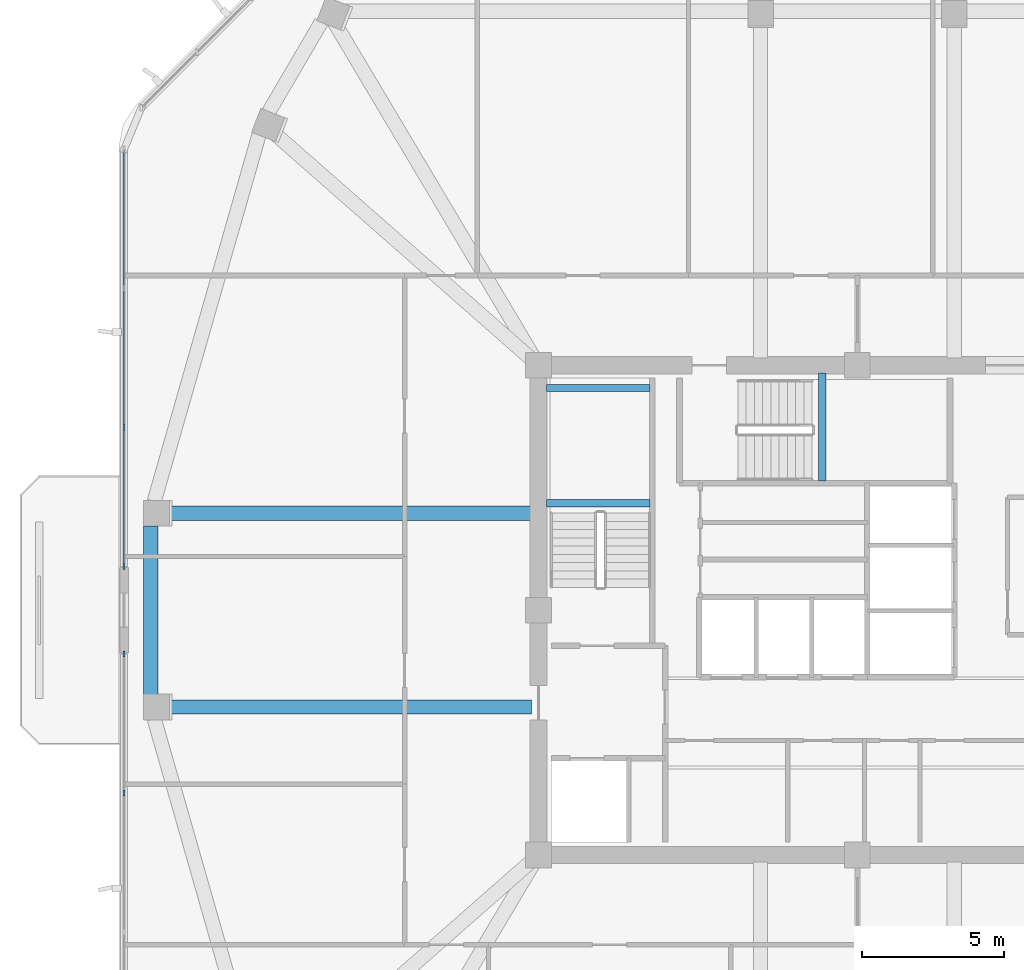
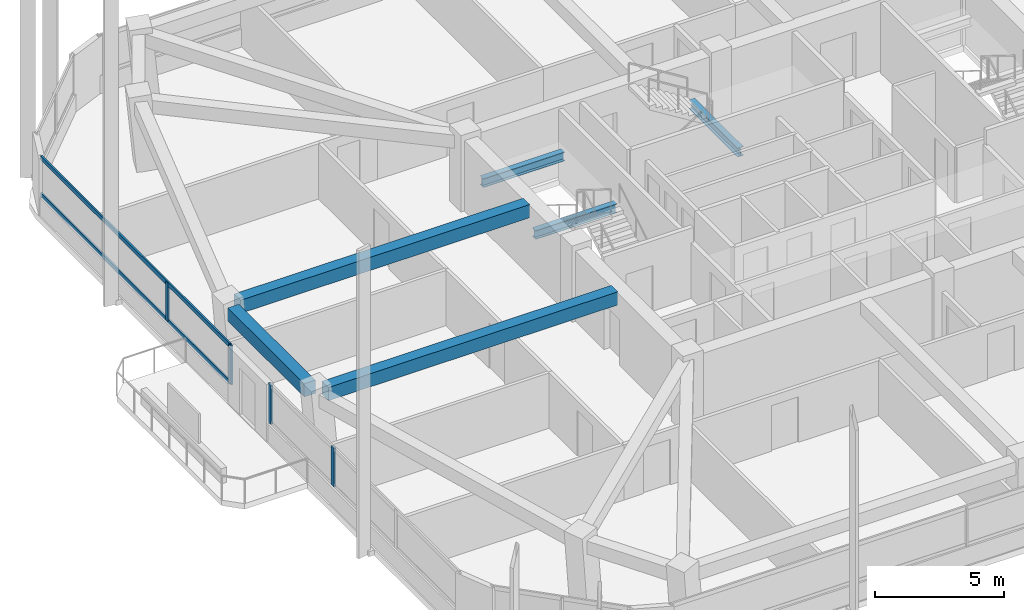
# One storey, part 4 of 17: 6 beams, 6 members, 2 elements without a shape of their own.
"""IFC4 building model written with IfcOpenShell, lengths in metres."""

from ifc_helpers import new_model, si_unit, derived_unit, direction, frame, origin, origin_2d, place, context, subcontext, project, spatial, rectangle, i_section, extrude, material, material_profile, profile_set, type_object, element, aggregate, save


model = new_model("IFC4")

# Units and contexts
model_context = context("Model", 3, precision=1e-05, world=origin(), true_north=direction((0.0, 1.0)))
body_context = subcontext(model_context, "Body", "Model", "MODEL_VIEW")
ifc_project = project(units=[si_unit("LENGTHUNIT", "METRE"), si_unit("AREAUNIT", "SQUARE_METRE"), si_unit("VOLUMEUNIT", "CUBIC_METRE"), si_unit("PLANEANGLEUNIT", "RADIAN"), si_unit("MASSUNIT", "GRAM", prefix="KILO"), derived_unit("THERMALTRANSMITTANCEUNIT", [(si_unit("POWERUNIT", "WATT"), 1), (si_unit("LENGTHUNIT", "METRE"), -2), (si_unit("THERMODYNAMICTEMPERATUREUNIT", "KELVIN"), -1)])], contexts=[model_context])

# Site, building, storey
site_placement = place(None, origin())
site = spatial("IfcSite", under=ifc_project, at=site_placement, CompositionType="ELEMENT")
building_placement = place(site_placement, origin())
building = spatial("IfcBuilding", under=site, at=building_placement, Name="Koralith Skygarden Medical Center", CompositionType="ELEMENT")
storey_placement = place(building_placement, frame((0.0, 0.0, 207.179931640625)))
storey = spatial("IfcBuildingStorey", under=building, at=storey_placement, Name="L53", CompositionType="ELEMENT", Elevation=207.179931640625)

# Curtain wall, members
ifc_material_1 = material(Name="Clear Laminated Glass", Category="glass")
curtain_wall_type = type_object("IfcCurtainWallType", Name="CW-5 Zone 4 Flare Biophilic Curtain Wall", PredefinedType="NOTDEFINED", material=ifc_material_1)
curtain_wall_1_placement = place(storey_placement, origin())
curtain_wall_1 = element("IfcCurtainWall", 1, at=curtain_wall_1_placement, inside=storey, type_object=curtain_wall_type, Name="Curtain Wall CW-L53-W-L", PredefinedType="NOTDEFINED")
ifc_material_2 = material(Name="Aluminium 6063-T6", Category="aluminium")
ifc_material_profile_1 = material_profile(ifc_material_2, rectangle(XDim=0.080078125, YDim=0.219970703125, at=origin_2d()), Name="MUL80X220")
ifc_profile_set_1 = profile_set([ifc_material_profile_1], Name="Aluminium 6063-T6")
member_type_1 = type_object("IfcMemberType", Name="CW-5 Extruded Mullion 80x220", PredefinedType="MULLION", material=ifc_profile_set_1)
member_1_placement = place(storey_placement, frame((11.2470703125, 32.321044921875, 0.85009765625), z_axis=(0.0, 0.0, 1.0), x_axis=(1.0, 0.0, 0.0)))
member_1 = element("IfcMember", 2, at=member_1_placement, type_object=member_type_1, Name="CW-L53-W-L Mullion 3", PredefinedType="MULLION", context=body_context, shape_type="SweptSolid", body=[
    extrude(rectangle(XDim=0.080078125, YDim=0.219970703125, at=origin_2d()), origin(), (0.0, 0.0, 1.0), 1.840087890625),
])
member_2_placement = place(storey_placement, frame((11.2470703125, 27.44091796875, 0.85009765625), z_axis=(0.0, 0.0, 1.0), x_axis=(1.0, 0.0, 0.0)))
member_2 = element("IfcMember", 3, at=member_2_placement, type_object=member_type_1, Name="CW-L53-W-L Mullion 4", PredefinedType="MULLION", context=body_context, shape_type="SweptSolid", body=[
    extrude(rectangle(XDim=0.080078125, YDim=0.219970703125, at=origin_2d()), origin(), (0.0, 0.0, 1.0), 1.840087890625),
])

curtain_wall_2_placement = place(storey_placement, origin())
curtain_wall_2 = element("IfcCurtainWall", 4, at=curtain_wall_2_placement, inside=storey, type_object=curtain_wall_type, Name="Curtain Wall CW-L53-W-R", PredefinedType="NOTDEFINED")
member_3_placement = place(storey_placement, frame((11.2470703125, 24.361083984375, 0.85009765625), z_axis=(0.0, 0.0, 1.0), x_axis=(1.0, 0.0, 0.0)))
member_3 = element("IfcMember", 5, at=member_3_placement, type_object=member_type_1, Name="CW-L53-W-R Mullion 1", PredefinedType="MULLION", context=body_context, shape_type="SweptSolid", body=[
    extrude(rectangle(XDim=0.080078125, YDim=0.219970703125, at=origin_2d()), origin(), (0.0, 0.0, 1.0), 1.840087890625),
])
member_4_placement = place(storey_placement, frame((11.2470703125, 19.47998046875, 0.85009765625), z_axis=(0.0, 0.0, 1.0), x_axis=(1.0, 0.0, 0.0)))
member_4 = element("IfcMember", 6, at=member_4_placement, type_object=member_type_1, Name="CW-L53-W-R Mullion 2", PredefinedType="MULLION", context=body_context, shape_type="SweptSolid", body=[
    extrude(rectangle(XDim=0.080078125, YDim=0.219970703125, at=origin_2d()), origin(), (0.0, 0.0, 1.0), 1.840087890625),
])
aggregate(curtain_wall_2, [member_3, member_4])

# Member
ifc_material_profile_2 = material_profile(ifc_material_2, rectangle(XDim=0.074951171875, YDim=0.197998046875, at=origin_2d()), Name="TRN75X198")
ifc_profile_set_2 = profile_set([ifc_material_profile_2], Name="Aluminium 6063-T6")
member_type_2 = type_object("IfcMemberType", Name="CW-5 Thermal Transom 75x198", PredefinedType="USERDEFINED", material=ifc_profile_set_2)
member_5_placement = place(storey_placement, frame((11.2470703125, 42.08203125, 0.900146484375), z_axis=(0.0, -1.0, 0.0), x_axis=(1.0, 0.0, 0.0)))
member_5 = element("IfcMember", 7, at=member_5_placement, type_object=member_type_2, Name="CW-L53-W-L Transom 1", ObjectType="TRANSOM", PredefinedType="USERDEFINED", context=body_context, shape_type="SweptSolid", body=[
    extrude(rectangle(XDim=0.074951171875, YDim=0.197998046875, at=origin_2d()), origin(), (0.0, 0.0, 1.0), 14.64111328125),
])

member_6_placement = place(storey_placement, frame((11.2470703125, 42.08203125, 2.64013671875), z_axis=(0.0, -1.0, 0.0), x_axis=(1.0, 0.0, 0.0)))
member_6 = element("IfcMember", 8, at=member_6_placement, type_object=member_type_2, Name="CW-L53-W-L Transom 2", ObjectType="TRANSOM", PredefinedType="USERDEFINED", context=body_context, shape_type="SweptSolid", body=[
    extrude(rectangle(XDim=0.074951171875, YDim=0.197998046875, at=origin_2d()), origin(), (0.0, 0.0, 1.0), 14.64111328125),
])

aggregate(curtain_wall_1, [member_1, member_2, member_5, member_6])

# Beams
ifc_material_3 = material(Name="Steel ASTM A992 Grade 50", Category="steel")
ifc_material_profile_3 = material_profile(ifc_material_3, i_section(OverallWidth=0.260009765625, OverallDepth=0.4150390625, WebThickness=0.010009765625, FlangeThickness=0.016845703125, at=origin_2d()), Name="W16X67")
ifc_profile_set_3 = profile_set([ifc_material_profile_3], Name="Steel ASTM A992 Grade 50")
beam_type_1 = type_object("IfcBeamType", Name="Clinical Floor Joist W16X67", PredefinedType="JOIST", material=ifc_profile_set_3)
for number, where, z_axis, x_axis, name in (
    (9, (26.080078125, 29.659912109375, 1.39208984375), (1.0, 0.0, 0.0), (0.0, 1.0, 0.0), "L53 Stair ST1 Half-Landing Support Beam 1A"),
    (10, (26.080078125, 33.699951171875, 1.39208984375), (1.0, 0.0, 0.0), (0.0, 1.0, 0.0), "L53 Stair ST1 Half-Landing Support Beam 1B"),
):
    element("IfcBeam", number, at=place(storey_placement, frame(where, z_axis=z_axis, x_axis=x_axis)), inside=storey, type_object=beam_type_1, Name=name, PredefinedType="JOIST", context=body_context, shape_type="SweptSolid", body=[
        extrude(i_section(OverallWidth=0.260009765625, OverallDepth=0.4150390625, WebThickness=0.010009765625, FlangeThickness=0.016845703125, at=origin_2d()), origin(), (0.0, 0.0, 1.0), 3.639892578125),
    ])
beam_1_placement = place(storey_placement, frame((35.760009765625, 30.43994140625, 1.39208984375), z_axis=(0.0, 1.0, 0.0), x_axis=(-1.0, 0.0, 0.0)))
element("IfcBeam", 11, at=beam_1_placement, inside=storey, type_object=beam_type_1, Name="L53 Stair ST3 Half-Landing Support Beam 1A", PredefinedType="JOIST", context=body_context, shape_type="SweptSolid", body=[
    extrude(i_section(OverallWidth=0.260009765625, OverallDepth=0.4150390625, WebThickness=0.010009765625, FlangeThickness=0.016845703125, at=origin_2d()), origin(), (0.0, 0.0, 1.0), 3.780029296875),
])
ifc_material_4 = material(Name="Concrete C45/55", Category="concrete")
ifc_material_profile_4 = material_profile(ifc_material_4, rectangle(XDim=0.5, YDim=0.6201171875, at=origin_2d()), Name="RCB500X620")
ifc_profile_set_4 = profile_set([ifc_material_profile_4], Name="Concrete C45/55")
beam_type_2 = type_object("IfcBeamType", Name="Upper Radial Collector Beam RCB500X620", PredefinedType="BEAM", material=ifc_profile_set_4)
for number, where, z_axis, x_axis, name in (
    (12, (25.550048828125, 22.5, 3.010009765625), (-1.0, 0.0, 0.0), (0.0, -1.0, 0.0), "L53 Radial Collector Beam RB-01"),
    (13, (25.550048828125, 29.300048828125, 3.010009765625), (-1.0, 0.0, 0.0), (0.0, -1.0, 0.0), "L53 Radial Collector Beam RB-16"),
):
    element("IfcBeam", number, at=place(storey_placement, frame(where, z_axis=z_axis, x_axis=x_axis)), inside=storey, type_object=beam_type_2, Name=name, PredefinedType="BEAM", context=body_context, shape_type="SweptSolid", body=[
        extrude(rectangle(XDim=0.5, YDim=0.6201171875, at=origin_2d()), origin(), (0.0, 0.0, 1.0), 12.925048828125),
    ])
ifc_material_profile_5 = material_profile(ifc_material_4, rectangle(XDim=0.5, YDim=0.6201171875, at=origin_2d()), Name="RCB500X620")
ifc_profile_set_5 = profile_set([ifc_material_profile_5], Name="Concrete C45/55")
beam_type_3 = type_object("IfcBeamType", Name="Zone 4-5 Spandrel Beam RCB500X620", PredefinedType="SPANDREL", material=ifc_profile_set_5)
beam_2_placement = place(storey_placement, frame((12.18505859375, 28.860107421875, 3.010009765625), z_axis=(0.0, -1.0, 0.0), x_axis=(1.0, 0.0, 0.0)))
element("IfcBeam", 14, at=beam_2_placement, inside=storey, type_object=beam_type_3, Name="L53 Perimeter Spandrel Beam SP-16", PredefinedType="SPANDREL", context=body_context, shape_type="SweptSolid", body=[
    extrude(rectangle(XDim=0.5, YDim=0.6201171875, at=origin_2d()), origin(), (0.0, 0.0, 1.0), 5.920166015625),
])

save(model, "model.ifc")
